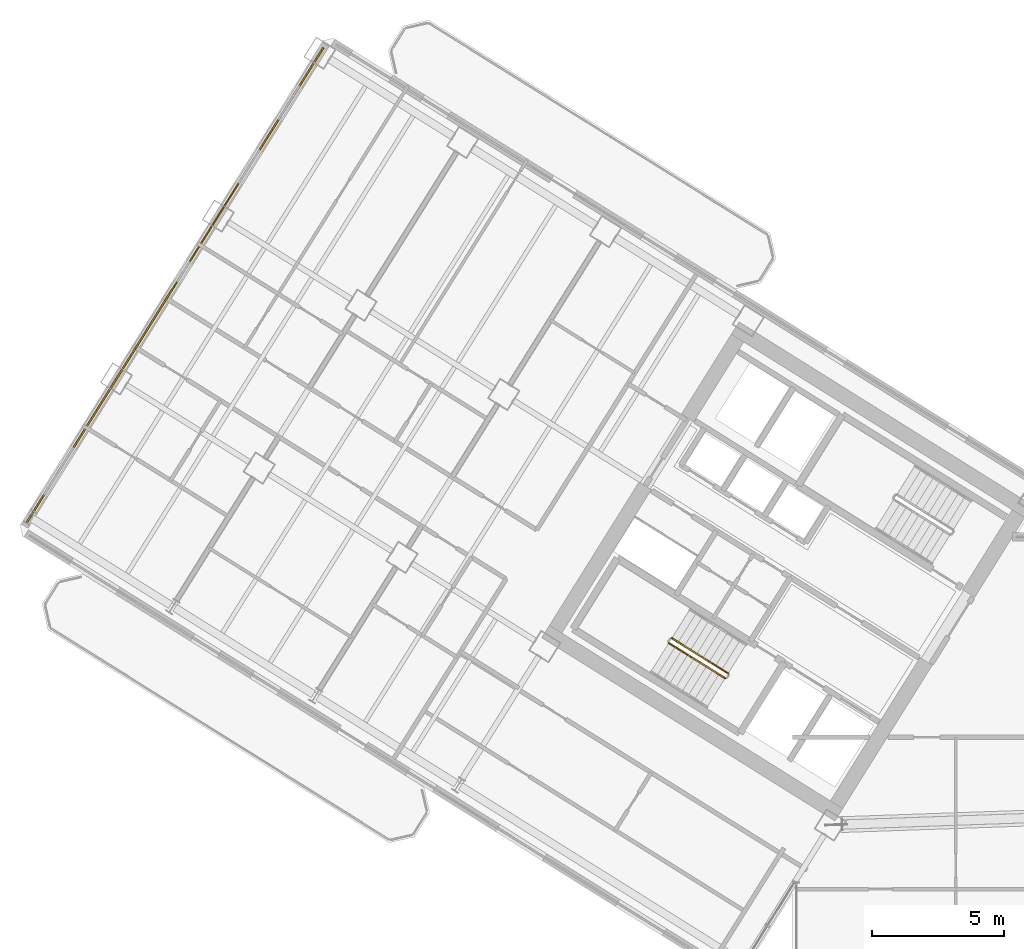
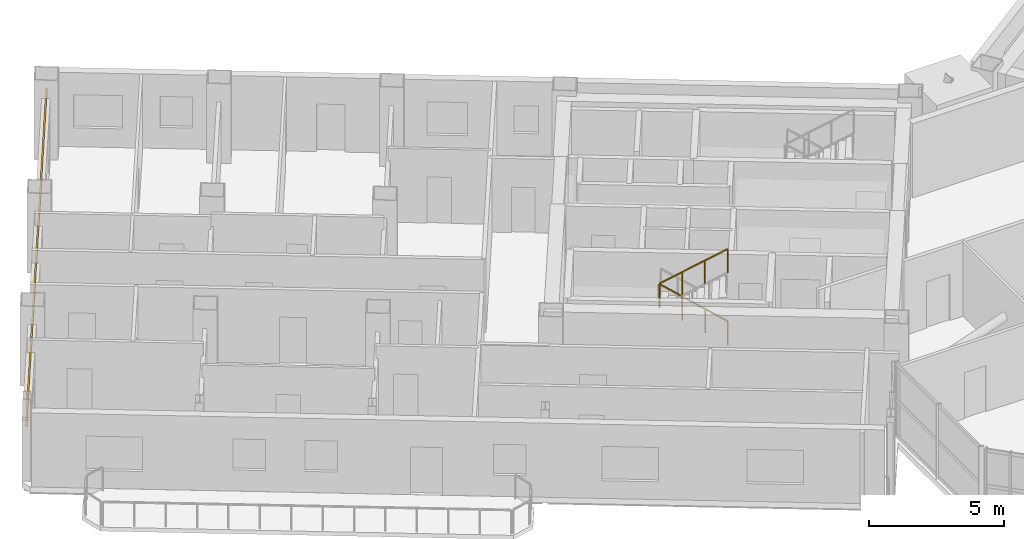
# One storey, part 24 of 29: 2 railings, 1 covering.
"""IFC4 building model written with IfcOpenShell, lengths in metres."""

from ifc_helpers import new_model, si_unit, direction, frame, origin, origin_2d, place, context, subcontext, project, spatial, rectangle, extrude, source, transform, mapped, material, layer, layer_set, type_object, element, save


model = new_model("IFC4")

# Units and contexts
model_context = context("Model", 3, precision=1e-05, world=origin(), true_north=direction((0.0, 1.0)))
body_context = subcontext(model_context, "Body", "Model", "MODEL_VIEW")
ifc_project = project(units=[si_unit("LENGTHUNIT", "METRE"), si_unit("AREAUNIT", "SQUARE_METRE"), si_unit("VOLUMEUNIT", "CUBIC_METRE"), si_unit("PLANEANGLEUNIT", "RADIAN"), si_unit("MASSUNIT", "GRAM", prefix="KILO")], contexts=[model_context])

# Site, building, storey
site_placement = place(None, origin())
site = spatial("IfcSite", under=ifc_project, at=site_placement, CompositionType="ELEMENT")
building_placement = place(site_placement, origin())
building = spatial("IfcBuilding", under=site, at=building_placement, Name="Tlacorven Tower", CompositionType="ELEMENT")
storey_placement = place(building_placement, frame((0.0, 0.0, 151.5)))
storey = spatial("IfcBuildingStorey", under=building, at=storey_placement, Name="L38", CompositionType="ELEMENT", Elevation=151.5)

# Covering
ifc_material_1 = material(Name="Precast concrete C45/55", Category="concrete")
ifc_layer = layer(ifc_material_1, 0.06005859375)
ifc_layer_set = layer_set([ifc_layer], Name="Precast concrete C45/55")
covering_type = type_object("IfcCoveringType", Name="CV-CLD-TERC", PredefinedType="CLADDING", material=ifc_layer_set)
shared_shape_1 = source(origin(), body_context, "Body", "SweptSolid", [
    extrude(rectangle(XDim=21.287353515625, YDim=0.06005859375, at=origin_2d()), origin(), (0.0, 0.0, 1.0), 0.419921875),
])
covering_placement = place(storey_placement, frame((8.13427734375, 32.606201171875, 2.35498046875), z_axis=(0.0, 0.0, 1.0), x_axis=(0.529918940959, 0.84804829816, 0.0)))
element("IfcCovering", 1, at=covering_placement, inside=storey, type_object=covering_type, Name="L38 Masonry-Frame Spandrel Cladding 2", PredefinedType="CLADDING", context=body_context, shape_type="MappedRepresentation", body=[
    mapped(shared_shape_1, transform((0.0, 0.0, 0.0), scale=1.0)),
])

# Railings
ifc_material_2 = material(Name="Aluminium and painted steel balustrade", Category="steel")
railing_type = type_object("IfcRailingType", Name="RL-GRD-1100", PredefinedType="GUARDRAIL", material=ifc_material_2)
shared_shape_2 = source(origin(), body_context, "Body", "SweptSolid", [
    extrude(rectangle(XDim=0.048095703125, YDim=0.048095703125, at=origin_2d()), frame((0.0, 0.0, 1.076171875), z_axis=(-0.713319727316, 0.445773895627, 0.540796265334), x_axis=(-0.529955395941, -0.84802551749, 0.0)), (0.0, 0.0, 1.0), 2.995849609375),
    extrude(rectangle(XDim=0.0419921875, YDim=0.0419921875, at=origin_2d()), origin(), (0.0, 0.0, 1.0), 1.052001953125),
    extrude(rectangle(XDim=0.0419921875, YDim=0.0419921875, at=origin_2d()), frame((-0.71240234375, 0.445068359375, 0.5400390625)), (0.0, 0.0, 1.0), 1.052001953125),
    extrude(rectangle(XDim=0.0419921875, YDim=0.0419921875, at=origin_2d()), frame((-1.424560546875, 0.890380859375, 1.080078125)), (0.0, 0.0, 1.0), 1.052001953125),
    extrude(rectangle(XDim=0.0419921875, YDim=0.0419921875, at=origin_2d()), frame((-2.136962890625, 1.33544921875, 1.6201171875)), (0.0, 0.0, 1.0), 1.052001953125),
])
railing_1_placement = place(storey_placement, frame((29.16064453125, 17.851806640625, 0.179931640625)))
element("IfcRailing", 2, at=railing_1_placement, inside=storey, type_object=railing_type, Name="L38 ST-W1 stair guard 1", PredefinedType="GUARDRAIL", context=body_context, shape_type="MappedRepresentation", body=[
    mapped(shared_shape_2, transform((0.0, 0.0, 0.0), scale=1.0)),
])
shared_shape_3 = source(origin(), body_context, "Body", "SweptSolid", [
    extrude(rectangle(XDim=0.048095703125, YDim=0.048095703125, at=origin_2d()), frame((0.0, 0.0, 1.076171875), z_axis=(0.713359751793, -0.4457479829, 0.540764828981), x_axis=(0.529911857636, 0.848052724267, 0.0)), (0.0, 0.0, 1.0), 2.99609375),
    extrude(rectangle(XDim=0.0419921875, YDim=0.0419921875, at=origin_2d()), origin(), (0.0, 0.0, 1.0), 1.052001953125),
    extrude(rectangle(XDim=0.0419921875, YDim=0.0419921875, at=origin_2d()), frame((0.71240234375, -0.445068359375, 0.5400390625)), (0.0, 0.0, 1.0), 1.052001953125),
    extrude(rectangle(XDim=0.0419921875, YDim=0.0419921875, at=origin_2d()), frame((1.4248046875, -0.890380859375, 1.080078125)), (0.0, 0.0, 1.0), 1.052001953125),
    extrude(rectangle(XDim=0.0419921875, YDim=0.0419921875, at=origin_2d()), frame((2.13720703125, -1.33544921875, 1.6201171875)), (0.0, 0.0, 1.0), 1.052001953125),
])
railing_2_placement = place(storey_placement, frame((26.906982421875, 19.000732421875, 1.97998046875)))
element("IfcRailing", 3, at=railing_2_placement, inside=storey, type_object=railing_type, Name="L38 ST-W1 stair guard 3", PredefinedType="GUARDRAIL", context=body_context, shape_type="MappedRepresentation", body=[
    mapped(shared_shape_3, transform((0.0, 0.0, 0.0), scale=1.0)),
])

save(model, "model.ifc")
